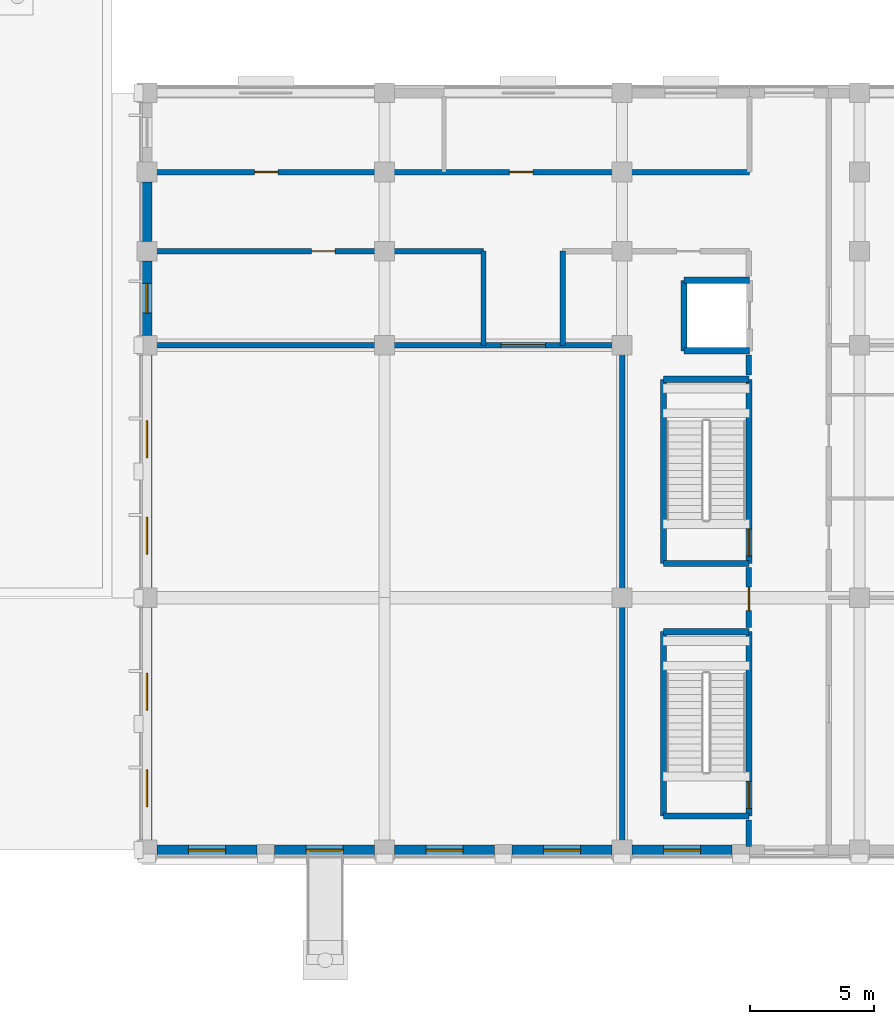
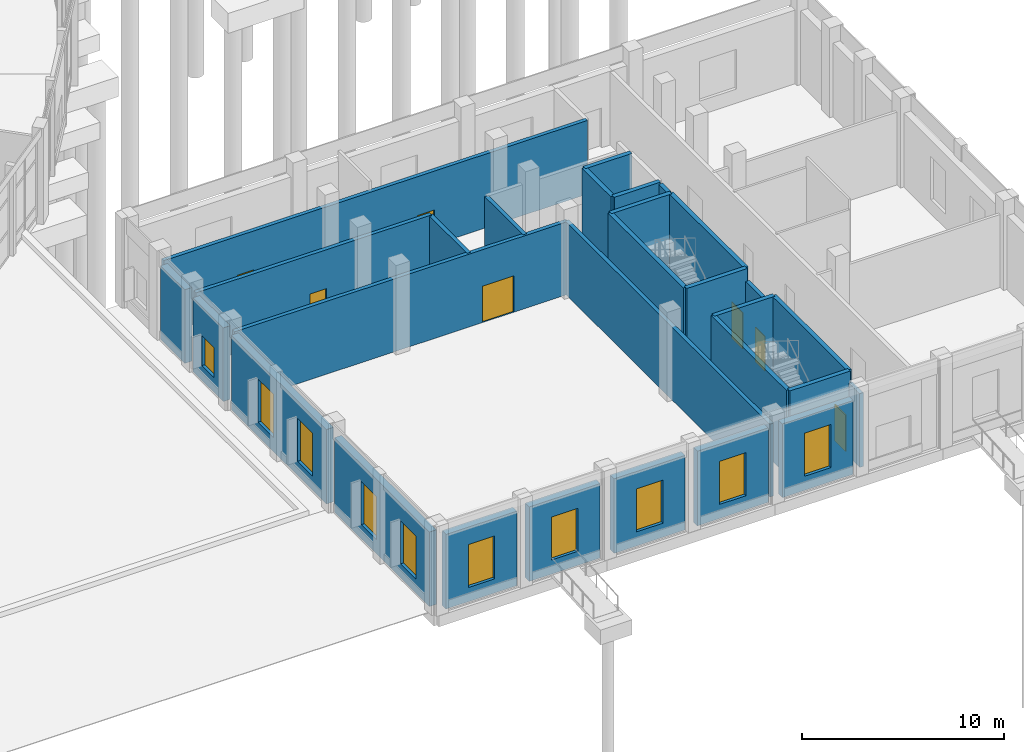
# One storey, part 110 of 137: 29 walls, 10 windows, 7 doors, 17 openings.
"""IFC4 building model written with IfcOpenShell, lengths in metres."""

import ifcopenshell
import ifcopenshell.guid

model = None  # the IFC model being written
_history = None  # IfcOwnerHistory: only IFC2X3 demands one
_inside = {}  # id of a spatial element -> (the spatial element, [elements in it])
_under = {}  # id of a project, library or spatial element -> (it, [spatial elements below it])
_declared = {}  # id of a project -> (the project, [libraries it declares])
_typed = {}  # id of a type object -> (the type object, [elements of that type])
_made_of = {}  # id of a material, layer set ... -> (it, [elements and type objects made of it])


def new_model(schema):
    """Start an empty IFC model of exactly this schema.

    Asked for "IFC4X3", IfcOpenShell would pick the latest addendum, in which some entities
    have other attributes; the version numbers below select the first issue.
    IFC2X3 requires an IfcOwnerHistory on every rooted entity: one is made here for all.
    """
    global model, _history
    if schema == "IFC4X3":
        model = ifcopenshell.file(schema_version=(4, 3, 0, 0))
    else:
        model = ifcopenshell.file(schema=schema)
    _inside.clear()
    _under.clear()
    _declared.clear()
    _typed.clear()
    _made_of.clear()
    _history = None
    if model.schema == "IFC2X3":
        org = make("IfcOrganization", Name="unknown")
        user = make(
            "IfcPersonAndOrganization",
            ThePerson=make("IfcPerson", FamilyName="unknown"),
            TheOrganization=org,
        )
        app = make(
            "IfcApplication",
            ApplicationDeveloper=org,
            Version="unknown",
            ApplicationFullName="unknown",
            ApplicationIdentifier="unknown",
        )
        _history = make(
            "IfcOwnerHistory",
            OwningUser=user,
            OwningApplication=app,
            ChangeAction="ADDED",
            CreationDate=0,
        )
    return model


def make(cls, **values):
    """One entity of the class cls with the attributes given. An attribute that is None is left unset."""
    return model.create_entity(
        cls, **{name: value for name, value in values.items() if value is not None}
    )


def rooted(cls, **values):
    """An entity with a GlobalId (a new one), such as an element, a storey or a relation."""
    return make(cls, GlobalId=ifcopenshell.guid.new(), OwnerHistory=_history, **values)


def si_unit(unit_type, name, prefix=None):
    """IfcSIUnit, for example si_unit("LENGTHUNIT", "METRE", prefix="MILLI")."""
    return make("IfcSIUnit", UnitType=unit_type, Prefix=prefix, Name=name)


def assignment(units):
    """IfcUnitAssignment: the units of a project."""
    return None if units is None else make("IfcUnitAssignment", Units=units)


def point(xyz):
    """IfcCartesianPoint."""
    return None if xyz is None else make("IfcCartesianPoint", Coordinates=xyz)


def direction(xyz):
    """IfcDirection."""
    return None if xyz is None else make("IfcDirection", DirectionRatios=xyz)


def frame(location, z_axis=None, x_axis=None):
    """IfcAxis2Placement3D, a coordinate frame: its origin and axes. An axis left out is left unset."""
    return make(
        "IfcAxis2Placement3D",
        Location=point(location),
        Axis=direction(z_axis),
        RefDirection=direction(x_axis),
    )


def frame_2d(location, x_axis=None):
    """IfcAxis2Placement2D, a coordinate frame in the plane: its origin and x axis."""
    return make(
        "IfcAxis2Placement2D", Location=point(location), RefDirection=direction(x_axis)
    )


def origin():
    """The frame at (0, 0, 0) with its axes left unset."""
    return frame((0.0, 0.0, 0.0))


def place(relative_to, where):
    """IfcLocalPlacement: puts the frame where relative to a parent placement (None: the world)."""
    return make(
        "IfcLocalPlacement", PlacementRelTo=relative_to, RelativePlacement=where
    )


def context(
    kind, dimensions, precision=None, world=None, true_north=None, identifier=None
):
    """IfcGeometricRepresentationContext, for example the 3D "Model" context."""
    return make(
        "IfcGeometricRepresentationContext",
        ContextIdentifier=identifier,
        ContextType=kind,
        CoordinateSpaceDimension=dimensions,
        Precision=precision,
        WorldCoordinateSystem=world,
        TrueNorth=true_north,
    )


def subcontext(parent, identifier, kind, view, scale=None):
    """IfcGeometricRepresentationSubContext, for example "Body" below "Model"."""
    return make(
        "IfcGeometricRepresentationSubContext",
        ContextIdentifier=identifier,
        ContextType=kind,
        ParentContext=parent,
        TargetScale=scale,
        TargetView=view,
    )


def project(units=None, contexts=None):
    """IfcProject with its units and contexts."""
    return rooted(
        "IfcProject",
        Name="project",
        RepresentationContexts=contexts,
        UnitsInContext=assignment(units),
    )


def spatial(cls, under=None, at=None, **own):
    """A site, building, storey or space (cls), placed at a placement, below another one or the project."""
    s = rooted(cls, ObjectPlacement=at, **own)
    if under is not None:
        _under.setdefault(under.id(), (under, []))[1].append(s)
    return s


def profile(cls, at=None, kind="AREA", **sizes):
    """A parametric profile (cls). Its sizes go by their IFC names, for example OverallWidth=200.0."""
    return make(cls, ProfileType=kind, Position=at, **sizes)


def rectangle(**sizes):
    """IfcRectangleProfileDef."""
    return profile("IfcRectangleProfileDef", **sizes)


def extrude(swept, where, along, depth):
    """IfcExtrudedAreaSolid: the profile swept, set in the frame where, extruded along a direction by depth."""
    return make(
        "IfcExtrudedAreaSolid",
        SweptArea=swept,
        Position=where,
        ExtrudedDirection=direction(along),
        Depth=depth,
    )


def shape(context_of_items, identifier, shape_type, items):
    """IfcShapeRepresentation: the items that make up one representation, for example the "Body"."""
    return make(
        "IfcShapeRepresentation",
        ContextOfItems=context_of_items,
        RepresentationIdentifier=identifier,
        RepresentationType=shape_type,
        Items=items,
    )


def material(Name=None, Category=None):
    """IfcMaterial."""
    return make("IfcMaterial", Name=Name, Category=Category)


def layer(
    of_material, thickness, ventilated=None, Name=None, Category=None, Priority=None
):
    """IfcMaterialLayer: one layer of a wall or slab, of a material (None: an air gap)."""
    return make(
        "IfcMaterialLayer",
        Material=of_material,
        LayerThickness=thickness,
        IsVentilated=ventilated,
        Name=Name,
        Category=Category,
        Priority=Priority,
    )


def layer_set(layers, Name=None):
    """IfcMaterialLayerSet."""
    return make("IfcMaterialLayerSet", MaterialLayers=layers, LayerSetName=Name)


def made_of(thing, what):
    """Note that an element or type object is made of a material, layer set ...; save() writes the relation."""
    if what is not None:
        _made_of.setdefault(what.id(), (what, []))[1].append(thing)
    return thing


def type_object(cls, material=None, **own):
    """A type object (cls), such as IfcWallType, which elements share."""
    return made_of(rooted(cls, **own), material)


def element(
    cls,
    number,
    at=None,
    inside=None,
    cuts=None,
    type_object=None,
    material=None,
    context=None,
    identifier="Body",
    shape_type=None,
    held_by="IfcProductDefinitionShape",
    body=None,
    shapes=None,
    **own,
):
    """One element of the class cls, such as IfcWall. Its Tag is "e" and its number.

    at: its placement. inside: the storey or other place that contains it. cuts: it is an
    opening in that element (IfcRelVoidsElement). A single representation is given by context,
    identifier, shape_type and body (its items); several are given by shapes. held_by: the class
    of the entity that holds the representations. save() writes the other relations.
    """
    e = rooted(cls, Tag="e%d" % number, ObjectPlacement=at, **own)
    if body is not None:
        shapes = [shape(context, identifier, shape_type, body)]
    if shapes is not None:
        e.Representation = make(held_by, Representations=shapes)
    if inside is not None:
        _inside.setdefault(inside.id(), (inside, []))[1].append(e)
    if cuts is not None:
        rooted(
            "IfcRelVoidsElement", RelatingBuildingElement=cuts, RelatedOpeningElement=e
        )
    if type_object is not None:
        _typed.setdefault(type_object.id(), (type_object, []))[1].append(e)
    return made_of(e, material)


def fill(opening, filler):
    """IfcRelFillsElement: the door or window that sits in an opening."""
    return rooted(
        "IfcRelFillsElement",
        RelatingOpeningElement=opening,
        RelatedBuildingElement=filler,
    )


def aggregate(whole, parts):
    """IfcRelAggregates: a whole, such as a stair, and the parts it consists of."""
    return rooted("IfcRelAggregates", RelatingObject=whole, RelatedObjects=parts)


def save(model, path):
    """Write the relations noted so far, then the file.

    IfcRelAggregates (storeys below a building ...), IfcRelContainedInSpatialStructure (elements
    in a storey), IfcRelDefinesByType, IfcRelAssociatesMaterial and IfcRelDeclares: one each for
    every whole, place, type object, material and project.
    """
    for whole, parts in _under.values():
        aggregate(whole, parts)
    for where, things in _inside.values():
        rooted(
            "IfcRelContainedInSpatialStructure",
            RelatedElements=things,
            RelatingStructure=where,
        )
    for kind, things in _typed.values():
        rooted("IfcRelDefinesByType", RelatedObjects=things, RelatingType=kind)
    for what, things in _made_of.values():
        rooted("IfcRelAssociatesMaterial", RelatedObjects=things, RelatingMaterial=what)
    for by, libraries in _declared.values():
        rooted("IfcRelDeclares", RelatingContext=by, RelatedDefinitions=libraries)
    model.write(path)


model = new_model("IFC4")

# Units and contexts
model_context = context("Model", 3, precision=1e-05, world=origin(), true_north=direction((0.0, 1.0)))
body_context = subcontext(model_context, "Body", "Model", "MODEL_VIEW")
ifc_project = project(units=[si_unit("LENGTHUNIT", "METRE"), si_unit("AREAUNIT", "SQUARE_METRE"), si_unit("VOLUMEUNIT", "CUBIC_METRE"), si_unit("PLANEANGLEUNIT", "RADIAN"), si_unit("MASSUNIT", "GRAM", prefix="KILO")], contexts=[model_context])

# Site, building, storey
site_placement = place(None, origin())
site = spatial("IfcSite", under=ifc_project, at=site_placement, CompositionType="ELEMENT")
building_placement = place(site_placement, origin())
building = spatial("IfcBuilding", under=site, at=building_placement, Name="Vondelvale Polytechnic", CompositionType="ELEMENT")
storey_placement = place(building_placement, origin())
storey = spatial("IfcBuildingStorey", under=building, at=storey_placement, Name="L00", CompositionType="ELEMENT", Elevation=0.0)

# Wall, opening, door
ifc_material_1 = material(Name="Concrete N40 (f'c = 40 MPa)", Category="concrete")
ifc_layer_1 = layer(ifc_material_1, 0.25)
ifc_layer_set_1 = layer_set([ifc_layer_1], Name="WL-CORE-250")
wall_type_1 = type_object("IfcWallType", Name="WL-CORE-250", PredefinedType="SOLIDWALL", material=ifc_layer_set_1)
wall_1_placement = place(storey_placement, frame((158.72509765625, 1.375, 0.0), z_axis=(0.0, 0.0, 1.0), x_axis=(0.0, 1.0, 0.0)))
wall_1 = element("IfcWall", 1, at=wall_1_placement, inside=storey, type_object=wall_type_1, Name="L00 ST-06 reinforced concrete stair core wall", PredefinedType="SOLIDWALL", context=body_context, shape_type="SweptSolid", body=[
    extrude(rectangle(XDim=7.449951171875, YDim=0.25, at=frame_2d((3.72509765625, 0.0))), origin(), (0.0, 0.0, 1.0), 5.1201171875),
])
opening_1_placement = place(wall_1_placement, frame((0.300048828125, 0.0, 0.0)))
opening_1 = element("IfcOpeningElement", 2, at=opening_1_placement, cuts=wall_1, Name="Opening SD-034", PredefinedType="OPENING", context=body_context, shape_type="SweptSolid", body=[
    extrude(rectangle(XDim=1.10009765625, YDim=2.199951171875, at=frame_2d((0.550048828125, 1.10009765625))), frame((0.0, 0.135009765625, 0.0), z_axis=(0.0, -1.0, 0.0), x_axis=(1.0, 0.0, 0.0)), (0.0, 0.0, 1.0), 0.27001953125),
])
ifc_material_2 = material(Name="Brushed architectural stainless and zinc-coated metal")
door_type_1 = type_object("IfcDoorType", Name="DR-STAIR-1100x2200", OperationType="SINGLE_SWING_LEFT", PredefinedType="DOOR", material=ifc_material_2)
door_1_placement = place(opening_1_placement, origin())
door_1 = element("IfcDoor", 3, at=door_1_placement, inside=storey, type_object=door_type_1, Name="L00 ST-06 fire-isolated stair door", OperationType="SINGLE_SWING_RIGHT", OverallHeight=2.199951171875, OverallWidth=1.10009765625, PredefinedType="DOOR", context=body_context, shape_type="SweptSolid", body=[
    extrude(rectangle(XDim=1.10009765625, YDim=2.199951171875, at=frame_2d((0.550048828125, 1.10009765625))), frame((0.0, 0.02490234375, 0.0), z_axis=(0.0, -1.0, 0.0), x_axis=(1.0, 0.0, 0.0)), (0.0, 0.0, 1.0), 0.050048828125),
])
fill(opening_1, door_1)

# Walls
wall_2_placement = place(storey_placement, frame((158.72509765625, 8.824951171875, 0.0), z_axis=(0.0, 0.0, 1.0), x_axis=(-1.0, 0.0, 0.0)))
element("IfcWall", 4, at=wall_2_placement, inside=storey, type_object=wall_type_1, Name="L00 ST-06 reinforced concrete stair core wall", PredefinedType="SOLIDWALL", context=body_context, shape_type="SweptSolid", body=[
    extrude(rectangle(XDim=3.4501953125, YDim=0.25, at=frame_2d((1.72509765625, 0.0))), origin(), (0.0, 0.0, 1.0), 5.1201171875),
])
wall_3_placement = place(storey_placement, frame((155.27490234375, 8.824951171875, 0.0), z_axis=(0.0, 0.0, 1.0), x_axis=(0.0, -1.0, 0.0)))
element("IfcWall", 5, at=wall_3_placement, inside=storey, type_object=wall_type_1, Name="L00 ST-06 reinforced concrete stair core wall", PredefinedType="SOLIDWALL", context=body_context, shape_type="SweptSolid", body=[
    extrude(rectangle(XDim=7.449951171875, YDim=0.25, at=frame_2d((3.72509765625, 0.0))), origin(), (0.0, 0.0, 1.0), 5.1201171875),
])
wall_4_placement = place(storey_placement, frame((158.72509765625, 1.375, 0.0), z_axis=(0.0, 0.0, 1.0), x_axis=(-1.0, 0.0, 0.0)))
element("IfcWall", 6, at=wall_4_placement, inside=storey, type_object=wall_type_1, Name="L00 ST-06 reinforced concrete stair core wall", PredefinedType="SOLIDWALL", context=body_context, shape_type="SweptSolid", body=[
    extrude(rectangle(XDim=3.4501953125, YDim=0.25, at=frame_2d((1.72509765625, 0.0))), origin(), (0.0, 0.0, 1.0), 5.1201171875),
])

# Wall, opening, door
wall_5_placement = place(storey_placement, frame((158.72509765625, 11.574951171875, 0.0), z_axis=(0.0, 0.0, 1.0), x_axis=(0.0, 1.0, 0.0)))
wall_5 = element("IfcWall", 7, at=wall_5_placement, inside=storey, type_object=wall_type_1, Name="L00 ST-07 reinforced concrete stair core wall", PredefinedType="SOLIDWALL", context=body_context, shape_type="SweptSolid", body=[
    extrude(rectangle(XDim=7.449951171875, YDim=0.25, at=frame_2d((3.72509765625, 0.0))), origin(), (0.0, 0.0, 1.0), 5.1201171875),
])
opening_2_placement = place(wall_5_placement, frame((0.300048828125, 0.0, 0.0)))
opening_2 = element("IfcOpeningElement", 8, at=opening_2_placement, cuts=wall_5, Name="Opening SD-040", PredefinedType="OPENING", context=body_context, shape_type="SweptSolid", body=[
    extrude(rectangle(XDim=1.10009765625, YDim=2.199951171875, at=frame_2d((0.550048828125, 1.10009765625))), frame((0.0, 0.135009765625, 0.0), z_axis=(0.0, -1.0, 0.0), x_axis=(1.0, 0.0, 0.0)), (0.0, 0.0, 1.0), 0.27001953125),
])
door_2_placement = place(opening_2_placement, origin())
door_2 = element("IfcDoor", 9, at=door_2_placement, inside=storey, type_object=door_type_1, Name="L00 ST-07 fire-isolated stair door", OperationType="SINGLE_SWING_RIGHT", OverallHeight=2.199951171875, OverallWidth=1.10009765625, PredefinedType="DOOR", context=body_context, shape_type="SweptSolid", body=[
    extrude(rectangle(XDim=1.10009765625, YDim=2.199951171875, at=frame_2d((0.550048828125, 1.10009765625))), frame((0.0, 0.02490234375, 0.0), z_axis=(0.0, -1.0, 0.0), x_axis=(1.0, 0.0, 0.0)), (0.0, 0.0, 1.0), 0.050048828125),
])
fill(opening_2, door_2)

# Walls
wall_6_placement = place(storey_placement, frame((158.72509765625, 19.02490234375, 0.0), z_axis=(0.0, 0.0, 1.0), x_axis=(-1.0, 0.0, 0.0)))
element("IfcWall", 10, at=wall_6_placement, inside=storey, type_object=wall_type_1, Name="L00 ST-07 reinforced concrete stair core wall", PredefinedType="SOLIDWALL", context=body_context, shape_type="SweptSolid", body=[
    extrude(rectangle(XDim=3.4501953125, YDim=0.25, at=frame_2d((1.72509765625, 0.0))), origin(), (0.0, 0.0, 1.0), 5.1201171875),
])
wall_7_placement = place(storey_placement, frame((155.27490234375, 19.02490234375, 0.0), z_axis=(0.0, 0.0, 1.0), x_axis=(0.0, -1.0, 0.0)))
element("IfcWall", 11, at=wall_7_placement, inside=storey, type_object=wall_type_1, Name="L00 ST-07 reinforced concrete stair core wall", PredefinedType="SOLIDWALL", context=body_context, shape_type="SweptSolid", body=[
    extrude(rectangle(XDim=7.449951171875, YDim=0.25, at=frame_2d((3.72509765625, 0.0))), origin(), (0.0, 0.0, 1.0), 5.1201171875),
])
wall_8_placement = place(storey_placement, frame((158.72509765625, 11.574951171875, 0.0), z_axis=(0.0, 0.0, 1.0), x_axis=(-1.0, 0.0, 0.0)))
element("IfcWall", 12, at=wall_8_placement, inside=storey, type_object=wall_type_1, Name="L00 ST-07 reinforced concrete stair core wall", PredefinedType="SOLIDWALL", context=body_context, shape_type="SweptSolid", body=[
    extrude(rectangle(XDim=3.4501953125, YDim=0.25, at=frame_2d((1.72509765625, 0.0))), origin(), (0.0, 0.0, 1.0), 5.1201171875),
])

# Wall, opening, door
ifc_material_3 = material(Name="Fire-rated double-layer plasterboard stud partition")
ifc_layer_2 = layer(ifc_material_3, 0.219970703125)
ifc_layer_set_2 = layer_set([ifc_layer_2], Name="WL-CORR-220")
wall_type_2 = type_object("IfcWallType", Name="WL-CORR-220", PredefinedType="PARTITIONING", material=ifc_layer_set_2)
wall_9_placement = place(storey_placement, frame((134.550048828125, 20.39990234375, 0.0), z_axis=(0.0, 0.0, 1.0), x_axis=(1.0, 0.0, 0.0)))
wall_9 = element("IfcWall", 13, at=wall_9_placement, inside=storey, type_object=wall_type_2, Name="L00 interior acoustic partition", PredefinedType="PARTITIONING", context=body_context, shape_type="SweptSolid", body=[
    extrude(rectangle(XDim=19.050048828125, YDim=0.219970703125, at=frame_2d((9.52490234375, 0.0))), origin(), (0.0, 0.0, 1.0), 4.39990234375),
])
opening_3_placement = place(wall_9_placement, frame((14.14990234375, 0.0, 0.0)))
opening_3 = element("IfcOpeningElement", 14, at=opening_3_placement, cuts=wall_9, Name="Opening ID-0224", PredefinedType="OPENING", context=body_context, shape_type="SweptSolid", body=[
    extrude(rectangle(XDim=1.800048828125, YDim=2.199951171875, at=frame_2d((0.89990234375, 1.10009765625))), frame((0.0, 0.119873046875, 0.0), z_axis=(0.0, -1.0, 0.0), x_axis=(1.0, 0.0, 0.0)), (0.0, 0.0, 1.0), 0.239990234375),
])
ifc_material_4 = material(Name="Engineered Tasmanian oak studio and bridge joinery")
door_type_2 = type_object("IfcDoorType", Name="DR-COR-1800x2200", OperationType="DOUBLE_DOOR_SINGLE_SWING", PredefinedType="DOOR", material=ifc_material_4)
door_3_placement = place(opening_3_placement, origin())
door_3 = element("IfcDoor", 15, at=door_3_placement, inside=storey, type_object=door_type_2, Name="L00 interior room door ID-0224", OperationType="DOUBLE_DOOR_SINGLE_SWING", OverallHeight=2.199951171875, OverallWidth=1.800048828125, PredefinedType="DOOR", context=body_context, shape_type="SweptSolid", body=[
    extrude(rectangle(XDim=1.800048828125, YDim=2.199951171875, at=frame_2d((0.89990234375, 1.10009765625))), frame((0.0, 0.02490234375, 0.0), z_axis=(0.0, -1.0, 0.0), x_axis=(1.0, 0.0, 0.0)), (0.0, 0.0, 1.0), 0.050048828125),
])
fill(opening_3, door_3)

# Walls
wall_10_placement = place(storey_placement, frame((153.60009765625, 0.14990234375, 0.0), z_axis=(0.0, 0.0, 1.0), x_axis=(0.0, 1.0, 0.0)))
element("IfcWall", 16, at=wall_10_placement, inside=storey, type_object=wall_type_2, Name="L00 interior acoustic partition", PredefinedType="PARTITIONING", context=body_context, shape_type="SweptSolid", body=[
    extrude(rectangle(XDim=20.25, YDim=0.219970703125, at=frame_2d((10.125, 0.0))), origin(), (0.0, 0.0, 1.0), 4.39990234375),
])
for number, where, z_axis, x_axis, name in (
    (17, (148.0, 20.39990234375, 0.0), (0.0, 0.0, 1.0), (0.0, 1.0, 0.0), "L00 interior acoustic partition"),
    (18, (151.199951171875, 20.39990234375, 0.0), (0.0, 0.0, 1.0), (0.0, 1.0, 0.0), "L00 interior acoustic partition"),
):
    element("IfcWall", number, at=place(storey_placement, frame(where, z_axis=z_axis, x_axis=x_axis)), inside=storey, type_object=wall_type_2, Name=name, PredefinedType="PARTITIONING", context=body_context, shape_type="SweptSolid", body=[
        extrude(rectangle(XDim=3.800048828125, YDim=0.219970703125, at=frame_2d((1.89990234375, 0.0))), origin(), (0.0, 0.0, 1.0), 4.39990234375),
    ])

# Wall, opening, door
wall_11_placement = place(storey_placement, frame((134.550048828125, 24.199951171875, 0.0), z_axis=(0.0, 0.0, 1.0), x_axis=(1.0, 0.0, 0.0)))
wall_11 = element("IfcWall", 19, at=wall_11_placement, inside=storey, type_object=wall_type_2, Name="L00 interior acoustic partition", PredefinedType="PARTITIONING", context=body_context, shape_type="SweptSolid", body=[
    extrude(rectangle(XDim=13.449951171875, YDim=0.219970703125, at=frame_2d((6.72509765625, 0.0))), origin(), (0.0, 0.0, 1.0), 4.449951171875),
])
opening_4_placement = place(wall_11_placement, frame((6.5, 0.0, 0.0)))
opening_4 = element("IfcOpeningElement", 20, at=opening_4_placement, cuts=wall_11, Name="Opening ID-0225", PredefinedType="OPENING", context=body_context, shape_type="SweptSolid", body=[
    extrude(rectangle(XDim=0.949951171875, YDim=2.10009765625, at=frame_2d((0.47509765625, 1.050048828125))), frame((0.0, 0.119873046875, 0.0), z_axis=(0.0, -1.0, 0.0), x_axis=(1.0, 0.0, 0.0)), (0.0, 0.0, 1.0), 0.239990234375),
])
ifc_material_5 = material(Name="Fire-rated solid Tasmanian oak joinery")
door_type_3 = type_object("IfcDoorType", Name="DR-INT-0950x2100", OperationType="SINGLE_SWING_LEFT", PredefinedType="DOOR", material=ifc_material_5)
door_4_placement = place(opening_4_placement, origin())
door_4 = element("IfcDoor", 21, at=door_4_placement, inside=storey, type_object=door_type_3, Name="L00 interior room door ID-0225", OperationType="SINGLE_SWING_LEFT", OverallHeight=2.10009765625, OverallWidth=0.949951171875, PredefinedType="DOOR", context=body_context, shape_type="SweptSolid", body=[
    extrude(rectangle(XDim=0.949951171875, YDim=2.10009765625, at=frame_2d((0.47509765625, 1.050048828125))), frame((0.0, 0.02490234375, 0.0), z_axis=(0.0, -1.0, 0.0), x_axis=(1.0, 0.0, 0.0)), (0.0, 0.0, 1.0), 0.050048828125),
])
fill(opening_4, door_4)

# Wall
wall_12_placement = place(storey_placement, frame((158.72509765625, 0.14990234375, 0.0), z_axis=(0.0, 0.0, 1.0), x_axis=(0.0, 1.0, 0.0)))
element("IfcWall", 22, at=wall_12_placement, inside=storey, type_object=wall_type_2, Name="L00 interior acoustic partition", PredefinedType="PARTITIONING", context=body_context, shape_type="SweptSolid", body=[
    extrude(rectangle(XDim=1.06005859375, YDim=0.219970703125, at=frame_2d((0.530029296875, 0.0))), origin(), (0.0, 0.0, 1.0), 4.449951171875),
])

# Wall, opening, door
wall_13_placement = place(storey_placement, frame((158.72509765625, 8.989990234375, 0.0), z_axis=(0.0, 0.0, 1.0), x_axis=(0.0, 1.0, 0.0)))
wall_13 = element("IfcWall", 23, at=wall_13_placement, inside=storey, type_object=wall_type_2, Name="L00 interior acoustic partition", PredefinedType="PARTITIONING", context=body_context, shape_type="SweptSolid", body=[
    extrude(rectangle(XDim=2.419921875, YDim=0.219970703125, at=frame_2d((1.2099609375, 0.0))), origin(), (0.0, 0.0, 1.0), 4.39990234375),
])
opening_5_placement = place(wall_13_placement, frame((0.68505859375, 0.0, 0.0)))
opening_5 = element("IfcOpeningElement", 24, at=opening_5_placement, cuts=wall_13, Name="Opening ID-0227", PredefinedType="OPENING", context=body_context, shape_type="SweptSolid", body=[
    extrude(rectangle(XDim=0.949951171875, YDim=2.10009765625, at=frame_2d((0.47509765625, 1.050048828125))), frame((0.0, 0.119873046875, 0.0), z_axis=(0.0, -1.0, 0.0), x_axis=(1.0, 0.0, 0.0)), (0.0, 0.0, 1.0), 0.239990234375),
])
door_5_placement = place(opening_5_placement, origin())
door_5 = element("IfcDoor", 25, at=door_5_placement, inside=storey, type_object=door_type_3, Name="L00 interior room door ID-0227", OperationType="SINGLE_SWING_LEFT", OverallHeight=2.10009765625, OverallWidth=0.949951171875, PredefinedType="DOOR", context=body_context, shape_type="SweptSolid", body=[
    extrude(rectangle(XDim=0.949951171875, YDim=2.10009765625, at=frame_2d((0.47509765625, 1.050048828125))), frame((0.0, 0.02490234375, 0.0), z_axis=(0.0, -1.0, 0.0), x_axis=(1.0, 0.0, 0.0)), (0.0, 0.0, 1.0), 0.050048828125),
])
fill(opening_5, door_5)

# Wall
wall_14_placement = place(storey_placement, frame((158.72509765625, 19.18994140625, 0.0), z_axis=(0.0, 0.0, 1.0), x_axis=(0.0, 1.0, 0.0)))
element("IfcWall", 26, at=wall_14_placement, inside=storey, type_object=wall_type_2, Name="L00 interior acoustic partition", PredefinedType="PARTITIONING", context=body_context, shape_type="SweptSolid", body=[
    extrude(rectangle(XDim=0.820068359375, YDim=0.219970703125, at=frame_2d((0.41015625, 0.0))), origin(), (0.0, 0.0, 1.0), 5.050048828125),
])

# Wall, openings, doors
wall_15_placement = place(storey_placement, frame((134.550048828125, 27.39990234375, 0.0), z_axis=(0.0, 0.0, 1.0), x_axis=(1.0, 0.0, 0.0)))
wall_15 = element("IfcWall", 27, at=wall_15_placement, inside=storey, type_object=wall_type_2, Name="L00 interior acoustic partition", PredefinedType="PARTITIONING", context=body_context, shape_type="SweptSolid", body=[
    extrude(rectangle(XDim=24.199951171875, YDim=0.219970703125, at=frame_2d((12.10009765625, 0.0))), origin(), (0.0, 0.0, 1.0), 4.449951171875),
])
opening_6_placement = place(wall_15_placement, frame((4.199951171875, 0.0, 0.0)))
opening_6 = element("IfcOpeningElement", 28, at=opening_6_placement, cuts=wall_15, Name="Opening ID-0228", PredefinedType="OPENING", context=body_context, shape_type="SweptSolid", body=[
    extrude(rectangle(XDim=0.949951171875, YDim=2.10009765625, at=frame_2d((0.47509765625, 1.050048828125))), frame((0.0, 0.119873046875, 0.0), z_axis=(0.0, -1.0, 0.0), x_axis=(1.0, 0.0, 0.0)), (0.0, 0.0, 1.0), 0.239990234375),
])
opening_7_placement = place(wall_15_placement, frame((14.5, 0.0, 0.0)))
opening_7 = element("IfcOpeningElement", 29, at=opening_7_placement, cuts=wall_15, Name="Opening ID-0229", PredefinedType="OPENING", context=body_context, shape_type="SweptSolid", body=[
    extrude(rectangle(XDim=0.949951171875, YDim=2.10009765625, at=frame_2d((0.47509765625, 1.050048828125))), frame((0.0, 0.119873046875, 0.0), z_axis=(0.0, -1.0, 0.0), x_axis=(1.0, 0.0, 0.0)), (0.0, 0.0, 1.0), 0.239990234375),
])
door_6_placement = place(opening_6_placement, origin())
door_6 = element("IfcDoor", 30, at=door_6_placement, inside=storey, type_object=door_type_3, Name="L00 interior room door ID-0228", OperationType="SINGLE_SWING_RIGHT", OverallHeight=2.10009765625, OverallWidth=0.949951171875, PredefinedType="DOOR", context=body_context, shape_type="SweptSolid", body=[
    extrude(rectangle(XDim=0.949951171875, YDim=2.10009765625, at=frame_2d((0.47509765625, 1.050048828125))), frame((0.0, 0.02490234375, 0.0), z_axis=(0.0, -1.0, 0.0), x_axis=(1.0, 0.0, 0.0)), (0.0, 0.0, 1.0), 0.050048828125),
])
fill(opening_6, door_6)
door_7_placement = place(opening_7_placement, origin())
door_7 = element("IfcDoor", 31, at=door_7_placement, inside=storey, type_object=door_type_3, Name="L00 interior room door ID-0229", OperationType="SINGLE_SWING_LEFT", OverallHeight=2.10009765625, OverallWidth=0.949951171875, PredefinedType="DOOR", context=body_context, shape_type="SweptSolid", body=[
    extrude(rectangle(XDim=0.949951171875, YDim=2.10009765625, at=frame_2d((0.47509765625, 1.050048828125))), frame((0.0, 0.02490234375, 0.0), z_axis=(0.0, -1.0, 0.0), x_axis=(1.0, 0.0, 0.0)), (0.0, 0.0, 1.0), 0.050048828125),
])
fill(opening_7, door_7)

# Wall, opening, window
ifc_material_6 = material(Name="Malmsbury bluestone ashlar stone masonry", Category="masonry")
ifc_layer_3 = layer(ifc_material_6, 0.39990234375)
ifc_layer_set_3 = layer_set([ifc_layer_3], Name="WL-PLINTH-400")
wall_type_3 = type_object("IfcWallType", Name="WL-PLINTH-400", PredefinedType="SOLIDWALL", material=ifc_layer_set_3)
wall_16_placement = place(storey_placement, frame((138.84912109375, 0.0, 0.0), z_axis=(0.0, 0.0, 1.0), x_axis=(-1.0, 0.0, 0.0)))
wall_16 = element("IfcWall", 32, at=wall_16_placement, inside=storey, type_object=wall_type_3, Name="L00 exterior masonry facade wall", PredefinedType="SOLIDWALL", context=body_context, shape_type="SweptSolid", body=[
    extrude(rectangle(XDim=4.048095703125, YDim=0.39990234375, at=frame_2d((2.02392578125, 0.0))), origin(), (0.0, 0.0, 1.0), 4.5),
])
opening_8_placement = place(wall_16_placement, frame((1.27392578125, 0.0, 0.85009765625)))
opening_8 = element("IfcOpeningElement", 33, at=opening_8_placement, cuts=wall_16, Name="Opening WN-0326", PredefinedType="OPENING", context=body_context, shape_type="SweptSolid", body=[
    extrude(rectangle(XDim=1.5, YDim=2.60009765625, at=frame_2d((0.75, 1.300048828125))), frame((0.0, 0.2099609375, 0.0), z_axis=(0.0, -1.0, 0.0), x_axis=(1.0, 0.0, 0.0)), (0.0, 0.0, 1.0), 0.419921875),
])
ifc_material_7 = material(Name="Double-glazed low-E insulated architectural glass", Category="glass")
window_type_1 = type_object("IfcWindowType", Name="WN-TALL-1500x2600", PartitioningType="SINGLE_PANEL", PredefinedType="WINDOW", material=ifc_material_7)
window_1_placement = place(opening_8_placement, origin())
window_1 = element("IfcWindow", 34, at=window_1_placement, inside=storey, type_object=window_type_1, Name="L00 double-glazed architectural window WN-0326", OverallHeight=2.60009765625, OverallWidth=1.5, PartitioningType="SINGLE_PANEL", PredefinedType="WINDOW", context=body_context, shape_type="SweptSolid", body=[
    extrude(rectangle(XDim=1.5, YDim=2.60009765625, at=frame_2d((0.75, 1.300048828125))), frame((0.0, 0.030029296875, 0.0), z_axis=(0.0, -1.0, 0.0), x_axis=(1.0, 0.0, 0.0)), (0.0, 0.0, 1.0), 0.06005859375),
])
fill(opening_8, window_1)

wall_17_placement = place(storey_placement, frame((143.59912109375, 0.0, 0.0), z_axis=(0.0, 0.0, 1.0), x_axis=(-1.0, 0.0, 0.0)))
wall_17 = element("IfcWall", 35, at=wall_17_placement, inside=storey, type_object=wall_type_3, Name="L00 exterior masonry facade wall", PredefinedType="SOLIDWALL", context=body_context, shape_type="SweptSolid", body=[
    extrude(rectangle(XDim=4.048095703125, YDim=0.39990234375, at=frame_2d((2.02392578125, 0.0))), origin(), (0.0, 0.0, 1.0), 4.5),
])
opening_9_placement = place(wall_17_placement, frame((1.27392578125, 0.0, 0.85009765625)))
opening_9 = element("IfcOpeningElement", 36, at=opening_9_placement, cuts=wall_17, Name="Opening WN-0327", PredefinedType="OPENING", context=body_context, shape_type="SweptSolid", body=[
    extrude(rectangle(XDim=1.5, YDim=2.60009765625, at=frame_2d((0.75, 1.300048828125))), frame((0.0, 0.2099609375, 0.0), z_axis=(0.0, -1.0, 0.0), x_axis=(1.0, 0.0, 0.0)), (0.0, 0.0, 1.0), 0.419921875),
])
window_2_placement = place(opening_9_placement, origin())
window_2 = element("IfcWindow", 37, at=window_2_placement, inside=storey, type_object=window_type_1, Name="L00 double-glazed architectural window WN-0327", OverallHeight=2.60009765625, OverallWidth=1.5, PartitioningType="SINGLE_PANEL", PredefinedType="WINDOW", context=body_context, shape_type="SweptSolid", body=[
    extrude(rectangle(XDim=1.5, YDim=2.60009765625, at=frame_2d((0.75, 1.300048828125))), frame((0.0, 0.030029296875, 0.0), z_axis=(0.0, -1.0, 0.0), x_axis=(1.0, 0.0, 0.0)), (0.0, 0.0, 1.0), 0.06005859375),
])
fill(opening_9, window_2)

wall_18_placement = place(storey_placement, frame((148.448974609375, 0.0, 0.0), z_axis=(0.0, 0.0, 1.0), x_axis=(-1.0, 0.0, 0.0)))
wall_18 = element("IfcWall", 38, at=wall_18_placement, inside=storey, type_object=wall_type_3, Name="L00 exterior masonry facade wall", PredefinedType="SOLIDWALL", context=body_context, shape_type="SweptSolid", body=[
    extrude(rectangle(XDim=4.048095703125, YDim=0.39990234375, at=frame_2d((2.02392578125, 0.0))), origin(), (0.0, 0.0, 1.0), 4.5),
])
opening_10_placement = place(wall_18_placement, frame((1.27392578125, 0.0, 0.85009765625)))
opening_10 = element("IfcOpeningElement", 39, at=opening_10_placement, cuts=wall_18, Name="Opening WN-0328", PredefinedType="OPENING", context=body_context, shape_type="SweptSolid", body=[
    extrude(rectangle(XDim=1.5, YDim=2.60009765625, at=frame_2d((0.75, 1.300048828125))), frame((0.0, 0.2099609375, 0.0), z_axis=(0.0, -1.0, 0.0), x_axis=(1.0, 0.0, 0.0)), (0.0, 0.0, 1.0), 0.419921875),
])
window_3_placement = place(opening_10_placement, origin())
window_3 = element("IfcWindow", 40, at=window_3_placement, inside=storey, type_object=window_type_1, Name="L00 double-glazed architectural window WN-0328", OverallHeight=2.60009765625, OverallWidth=1.5, PartitioningType="SINGLE_PANEL", PredefinedType="WINDOW", context=body_context, shape_type="SweptSolid", body=[
    extrude(rectangle(XDim=1.5, YDim=2.60009765625, at=frame_2d((0.75, 1.300048828125))), frame((0.0, 0.030029296875, 0.0), z_axis=(0.0, -1.0, 0.0), x_axis=(1.0, 0.0, 0.0)), (0.0, 0.0, 1.0), 0.06005859375),
])
fill(opening_10, window_3)

wall_19_placement = place(storey_placement, frame((153.198974609375, 0.0, 0.0), z_axis=(0.0, 0.0, 1.0), x_axis=(-1.0, 0.0, 0.0)))
wall_19 = element("IfcWall", 41, at=wall_19_placement, inside=storey, type_object=wall_type_3, Name="L00 exterior masonry facade wall", PredefinedType="SOLIDWALL", context=body_context, shape_type="SweptSolid", body=[
    extrude(rectangle(XDim=4.048095703125, YDim=0.39990234375, at=frame_2d((2.02392578125, 0.0))), origin(), (0.0, 0.0, 1.0), 4.5),
])
opening_11_placement = place(wall_19_placement, frame((1.27392578125, 0.0, 0.85009765625)))
opening_11 = element("IfcOpeningElement", 42, at=opening_11_placement, cuts=wall_19, Name="Opening WN-0329", PredefinedType="OPENING", context=body_context, shape_type="SweptSolid", body=[
    extrude(rectangle(XDim=1.5, YDim=2.60009765625, at=frame_2d((0.75, 1.300048828125))), frame((0.0, 0.2099609375, 0.0), z_axis=(0.0, -1.0, 0.0), x_axis=(1.0, 0.0, 0.0)), (0.0, 0.0, 1.0), 0.419921875),
])
window_4_placement = place(opening_11_placement, origin())
window_4 = element("IfcWindow", 43, at=window_4_placement, inside=storey, type_object=window_type_1, Name="L00 double-glazed architectural window WN-0329", OverallHeight=2.60009765625, OverallWidth=1.5, PartitioningType="SINGLE_PANEL", PredefinedType="WINDOW", context=body_context, shape_type="SweptSolid", body=[
    extrude(rectangle(XDim=1.5, YDim=2.60009765625, at=frame_2d((0.75, 1.300048828125))), frame((0.0, 0.030029296875, 0.0), z_axis=(0.0, -1.0, 0.0), x_axis=(1.0, 0.0, 0.0)), (0.0, 0.0, 1.0), 0.06005859375),
])
fill(opening_11, window_4)

wall_20_placement = place(storey_placement, frame((158.049072265625, 0.0, 0.0), z_axis=(0.0, 0.0, 1.0), x_axis=(-1.0, 0.0, 0.0)))
wall_20 = element("IfcWall", 44, at=wall_20_placement, inside=storey, type_object=wall_type_3, Name="L00 exterior masonry facade wall", PredefinedType="SOLIDWALL", context=body_context, shape_type="SweptSolid", body=[
    extrude(rectangle(XDim=4.048095703125, YDim=0.39990234375, at=frame_2d((2.02392578125, 0.0))), origin(), (0.0, 0.0, 1.0), 4.449951171875),
])
opening_12_placement = place(wall_20_placement, frame((1.27392578125, 0.0, 0.85009765625)))
opening_12 = element("IfcOpeningElement", 45, at=opening_12_placement, cuts=wall_20, Name="Opening WN-0330", PredefinedType="OPENING", context=body_context, shape_type="SweptSolid", body=[
    extrude(rectangle(XDim=1.5, YDim=2.60009765625, at=frame_2d((0.75, 1.300048828125))), frame((0.0, 0.2099609375, 0.0), z_axis=(0.0, -1.0, 0.0), x_axis=(1.0, 0.0, 0.0)), (0.0, 0.0, 1.0), 0.419921875),
])
window_5_placement = place(opening_12_placement, origin())
window_5 = element("IfcWindow", 46, at=window_5_placement, inside=storey, type_object=window_type_1, Name="L00 double-glazed architectural window WN-0330", OverallHeight=2.60009765625, OverallWidth=1.5, PartitioningType="SINGLE_PANEL", PredefinedType="WINDOW", context=body_context, shape_type="SweptSolid", body=[
    extrude(rectangle(XDim=1.5, YDim=2.60009765625, at=frame_2d((0.75, 1.300048828125))), frame((0.0, 0.030029296875, 0.0), z_axis=(0.0, -1.0, 0.0), x_axis=(1.0, 0.0, 0.0)), (0.0, 0.0, 1.0), 0.06005859375),
])
fill(opening_12, window_5)

# Wall, openings, windows
wall_21_placement = place(storey_placement, frame((134.39990234375, 0.40087890625, 0.0), z_axis=(0.0, 0.0, 1.0), x_axis=(0.0, 1.0, 0.0)))
wall_21 = element("IfcWall", 47, at=wall_21_placement, inside=storey, type_object=wall_type_3, Name="L00 exterior masonry facade wall", PredefinedType="SOLIDWALL", context=body_context, shape_type="SweptSolid", body=[
    extrude(rectangle(XDim=9.398193359375, YDim=0.39990234375, at=frame_2d((4.69921875, 0.0))), origin(), (0.0, 0.0, 1.0), 4.5),
])
opening_13_placement = place(wall_21_placement, frame((1.35009765625, 0.0, 0.85009765625)))
opening_13 = element("IfcOpeningElement", 48, at=opening_13_placement, cuts=wall_21, Name="Opening WN-0333", PredefinedType="OPENING", context=body_context, shape_type="SweptSolid", body=[
    extrude(rectangle(XDim=1.5, YDim=2.60009765625, at=frame_2d((0.75, 1.300048828125))), frame((0.0, 0.2099609375, 0.0), z_axis=(0.0, -1.0, 0.0), x_axis=(1.0, 0.0, 0.0)), (0.0, 0.0, 1.0), 0.419921875),
])
opening_14_placement = place(wall_21_placement, frame((5.25, 0.0, 0.85009765625)))
opening_14 = element("IfcOpeningElement", 49, at=opening_14_placement, cuts=wall_21, Name="Opening WN-0334", PredefinedType="OPENING", context=body_context, shape_type="SweptSolid", body=[
    extrude(rectangle(XDim=1.5, YDim=2.60009765625, at=frame_2d((0.75, 1.300048828125))), frame((0.0, 0.2099609375, 0.0), z_axis=(0.0, -1.0, 0.0), x_axis=(1.0, 0.0, 0.0)), (0.0, 0.0, 1.0), 0.419921875),
])
window_6_placement = place(opening_13_placement, origin())
window_6 = element("IfcWindow", 50, at=window_6_placement, inside=storey, type_object=window_type_1, Name="L00 double-glazed architectural window WN-0333", OverallHeight=2.60009765625, OverallWidth=1.5, PartitioningType="SINGLE_PANEL", PredefinedType="WINDOW", context=body_context, shape_type="SweptSolid", body=[
    extrude(rectangle(XDim=1.5, YDim=2.60009765625, at=frame_2d((0.75, 1.300048828125))), frame((0.0, 0.030029296875, 0.0), z_axis=(0.0, -1.0, 0.0), x_axis=(1.0, 0.0, 0.0)), (0.0, 0.0, 1.0), 0.06005859375),
])
fill(opening_13, window_6)
window_7_placement = place(opening_14_placement, origin())
window_7 = element("IfcWindow", 51, at=window_7_placement, inside=storey, type_object=window_type_1, Name="L00 double-glazed architectural window WN-0334", OverallHeight=2.60009765625, OverallWidth=1.5, PartitioningType="SINGLE_PANEL", PredefinedType="WINDOW", context=body_context, shape_type="SweptSolid", body=[
    extrude(rectangle(XDim=1.5, YDim=2.60009765625, at=frame_2d((0.75, 1.300048828125))), frame((0.0, 0.030029296875, 0.0), z_axis=(0.0, -1.0, 0.0), x_axis=(1.0, 0.0, 0.0)), (0.0, 0.0, 1.0), 0.06005859375),
])
fill(opening_14, window_7)

wall_22_placement = place(storey_placement, frame((134.39990234375, 10.60107421875, 0.0), z_axis=(0.0, 0.0, 1.0), x_axis=(0.0, 1.0, 0.0)))
wall_22 = element("IfcWall", 52, at=wall_22_placement, inside=storey, type_object=wall_type_3, Name="L00 exterior masonry facade wall", PredefinedType="SOLIDWALL", context=body_context, shape_type="SweptSolid", body=[
    extrude(rectangle(XDim=9.39794921875, YDim=0.39990234375, at=frame_2d((4.698974609375, 0.0))), origin(), (0.0, 0.0, 1.0), 4.5),
])
opening_15_placement = place(wall_22_placement, frame((1.35009765625, 0.0, 0.85009765625)))
opening_15 = element("IfcOpeningElement", 53, at=opening_15_placement, cuts=wall_22, Name="Opening WN-0335", PredefinedType="OPENING", context=body_context, shape_type="SweptSolid", body=[
    extrude(rectangle(XDim=1.5, YDim=2.60009765625, at=frame_2d((0.75, 1.300048828125))), frame((0.0, 0.2099609375, 0.0), z_axis=(0.0, -1.0, 0.0), x_axis=(1.0, 0.0, 0.0)), (0.0, 0.0, 1.0), 0.419921875),
])
opening_16_placement = place(wall_22_placement, frame((5.25, 0.0, 0.85009765625)))
opening_16 = element("IfcOpeningElement", 54, at=opening_16_placement, cuts=wall_22, Name="Opening WN-0336", PredefinedType="OPENING", context=body_context, shape_type="SweptSolid", body=[
    extrude(rectangle(XDim=1.5, YDim=2.60009765625, at=frame_2d((0.75, 1.300048828125))), frame((0.0, 0.2099609375, 0.0), z_axis=(0.0, -1.0, 0.0), x_axis=(1.0, 0.0, 0.0)), (0.0, 0.0, 1.0), 0.419921875),
])
window_8_placement = place(opening_15_placement, origin())
window_8 = element("IfcWindow", 55, at=window_8_placement, inside=storey, type_object=window_type_1, Name="L00 double-glazed architectural window WN-0335", OverallHeight=2.60009765625, OverallWidth=1.5, PartitioningType="SINGLE_PANEL", PredefinedType="WINDOW", context=body_context, shape_type="SweptSolid", body=[
    extrude(rectangle(XDim=1.5, YDim=2.60009765625, at=frame_2d((0.75, 1.300048828125))), frame((0.0, 0.030029296875, 0.0), z_axis=(0.0, -1.0, 0.0), x_axis=(1.0, 0.0, 0.0)), (0.0, 0.0, 1.0), 0.06005859375),
])
fill(opening_15, window_8)
window_9_placement = place(opening_16_placement, origin())
window_9 = element("IfcWindow", 56, at=window_9_placement, inside=storey, type_object=window_type_1, Name="L00 double-glazed architectural window WN-0336", OverallHeight=2.60009765625, OverallWidth=1.5, PartitioningType="SINGLE_PANEL", PredefinedType="WINDOW", context=body_context, shape_type="SweptSolid", body=[
    extrude(rectangle(XDim=1.5, YDim=2.60009765625, at=frame_2d((0.75, 1.300048828125))), frame((0.0, 0.030029296875, 0.0), z_axis=(0.0, -1.0, 0.0), x_axis=(1.0, 0.0, 0.0)), (0.0, 0.0, 1.0), 0.06005859375),
])
fill(opening_16, window_9)

# Wall, opening, window
wall_23_placement = place(storey_placement, frame((134.39990234375, 20.801025390625, 0.0), z_axis=(0.0, 0.0, 1.0), x_axis=(0.0, 1.0, 0.0)))
wall_23 = element("IfcWall", 57, at=wall_23_placement, inside=storey, type_object=wall_type_3, Name="L00 exterior masonry facade wall", PredefinedType="SOLIDWALL", context=body_context, shape_type="SweptSolid", body=[
    extrude(rectangle(XDim=2.998046875, YDim=0.39990234375, at=frame_2d((1.4990234375, 0.0))), origin(), (0.0, 0.0, 1.0), 4.449951171875),
])
opening_17_placement = place(wall_23_placement, frame((0.89892578125, 0.0, 0.89990234375)))
opening_17 = element("IfcOpeningElement", 58, at=opening_17_placement, cuts=wall_23, Name="Opening WN-0337", PredefinedType="OPENING", context=body_context, shape_type="SweptSolid", body=[
    extrude(rectangle(XDim=1.199951171875, YDim=1.800048828125, at=frame_2d((0.60009765625, 0.89990234375))), frame((0.0, 0.2099609375, 0.0), z_axis=(0.0, -1.0, 0.0), x_axis=(1.0, 0.0, 0.0)), (0.0, 0.0, 1.0), 0.419921875),
])
window_type_2 = type_object("IfcWindowType", Name="WN-OFF-1200x1800", PartitioningType="SINGLE_PANEL", PredefinedType="WINDOW", material=ifc_material_7)
window_10_placement = place(opening_17_placement, origin())
window_10 = element("IfcWindow", 59, at=window_10_placement, inside=storey, type_object=window_type_2, Name="L00 double-glazed architectural window WN-0337", OverallHeight=1.800048828125, OverallWidth=1.199951171875, PartitioningType="SINGLE_PANEL", PredefinedType="WINDOW", context=body_context, shape_type="SweptSolid", body=[
    extrude(rectangle(XDim=1.199951171875, YDim=1.800048828125, at=frame_2d((0.60009765625, 0.89990234375))), frame((0.0, 0.030029296875, 0.0), z_axis=(0.0, -1.0, 0.0), x_axis=(1.0, 0.0, 0.0)), (0.0, 0.0, 1.0), 0.06005859375),
])
fill(opening_17, window_10)

# Walls
wall_24_placement = place(storey_placement, frame((134.39990234375, 24.60107421875, 0.0), z_axis=(0.0, 0.0, 1.0), x_axis=(0.0, 1.0, 0.0)))
element("IfcWall", 60, at=wall_24_placement, inside=storey, type_object=wall_type_3, Name="L00 exterior masonry facade wall", PredefinedType="SOLIDWALL", context=body_context, shape_type="SweptSolid", body=[
    extrude(rectangle(XDim=2.39794921875, YDim=0.39990234375, at=frame_2d((1.198974609375, 0.0))), origin(), (0.0, 0.0, 1.0), 4.449951171875),
])
ifc_layer_4 = layer(ifc_material_1, 0.25)
ifc_layer_set_4 = layer_set([ifc_layer_4], Name="WL-SHAFT-250")
wall_type_4 = type_object("IfcWallType", Name="WL-SHAFT-250", PredefinedType="SOLIDWALL", material=ifc_layer_set_4)
for number, where, z_axis, x_axis, name in (
    (61, (156.10009765625, 20.175048828125, 0.0), (0.0, 0.0, 1.0), (1.0, 0.0, 0.0), "L00 PL-03 lift shaft wall S"),
    (62, (158.75, 23.02490234375, 0.0), (0.0, 0.0, 1.0), (-1.0, 0.0, 0.0), "L00 PL-03 lift shaft wall N"),
):
    element("IfcWall", number, at=place(storey_placement, frame(where, z_axis=z_axis, x_axis=x_axis)), inside=storey, type_object=wall_type_4, Name=name, PredefinedType="SOLIDWALL", context=body_context, shape_type="SweptSolid", body=[
        extrude(rectangle(XDim=2.64990234375, YDim=0.25, at=frame_2d((1.324951171875, 0.0))), origin(), (0.0, 0.0, 1.0), 5.1201171875),
    ])
wall_25_placement = place(storey_placement, frame((156.10009765625, 23.02490234375, 0.0), z_axis=(0.0, 0.0, 1.0), x_axis=(0.0, -1.0, 0.0)))
element("IfcWall", 63, at=wall_25_placement, inside=storey, type_object=wall_type_4, Name="L00 PL-03 lift shaft wall W", PredefinedType="SOLIDWALL", context=body_context, shape_type="SweptSolid", body=[
    extrude(rectangle(XDim=2.849853515625, YDim=0.25, at=frame_2d((1.4248046875, 0.0))), origin(), (0.0, 0.0, 1.0), 5.1201171875),
])

save(model, "model.ifc")
